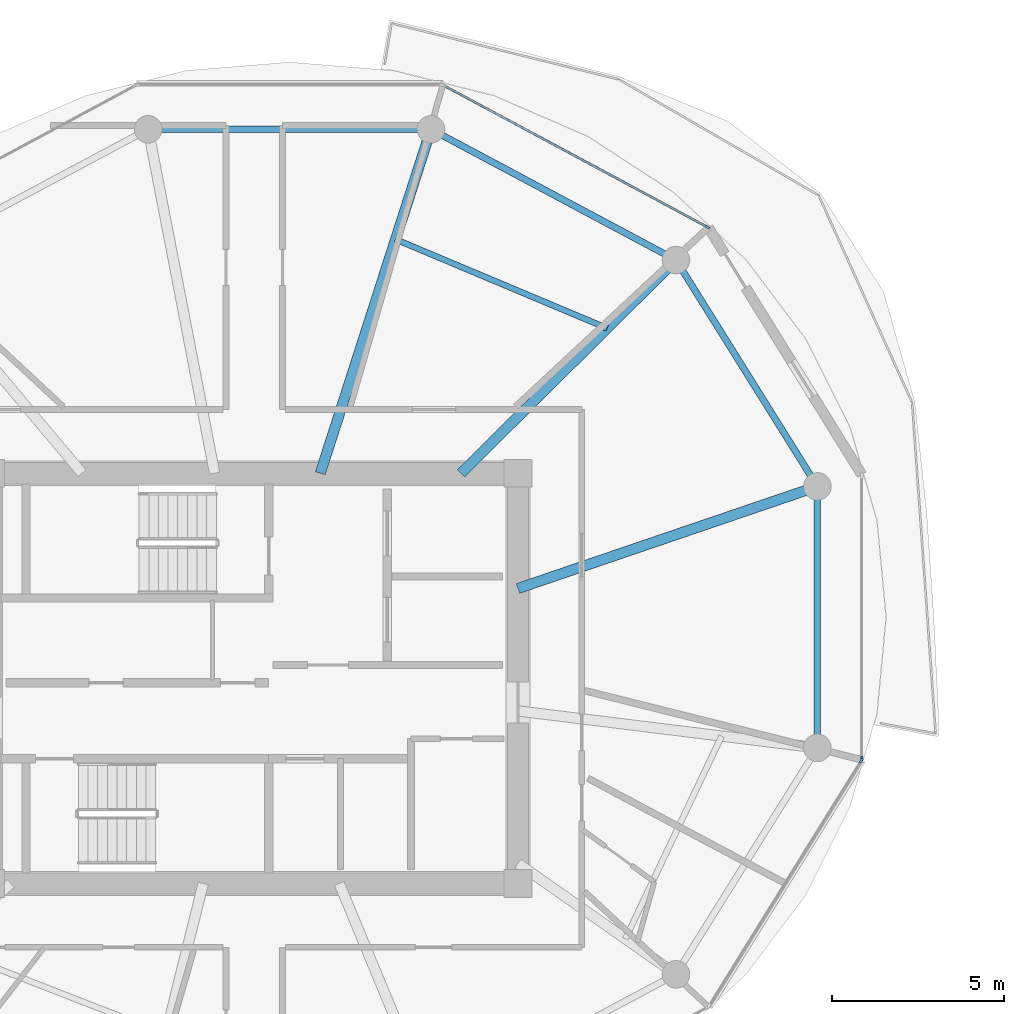
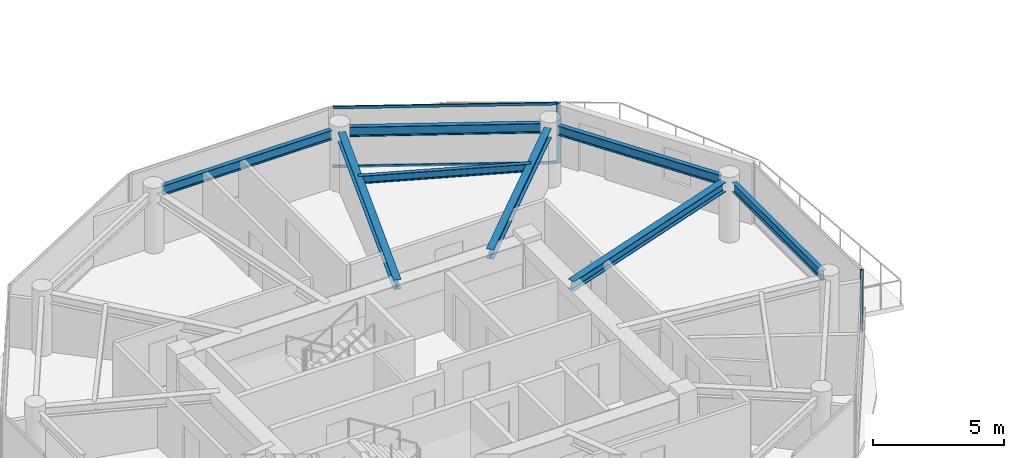
# One storey, part 5 of 22: 8 beams, 5 members, 3 elements without a shape of their own.
"""IFC4 building model written with IfcOpenShell, lengths in metres."""

import ifcopenshell
import ifcopenshell.guid

model = None  # the IFC model being written
_history = None  # IfcOwnerHistory: only IFC2X3 demands one
_inside = {}  # id of a spatial element -> (the spatial element, [elements in it])
_under = {}  # id of a project, library or spatial element -> (it, [spatial elements below it])
_declared = {}  # id of a project -> (the project, [libraries it declares])
_typed = {}  # id of a type object -> (the type object, [elements of that type])
_made_of = {}  # id of a material, layer set ... -> (it, [elements and type objects made of it])


def new_model(schema):
    """Start an empty IFC model of exactly this schema.

    Asked for "IFC4X3", IfcOpenShell would pick the latest addendum, in which some entities
    have other attributes; the version numbers below select the first issue.
    IFC2X3 requires an IfcOwnerHistory on every rooted entity: one is made here for all.
    """
    global model, _history
    if schema == "IFC4X3":
        model = ifcopenshell.file(schema_version=(4, 3, 0, 0))
    else:
        model = ifcopenshell.file(schema=schema)
    _inside.clear()
    _under.clear()
    _declared.clear()
    _typed.clear()
    _made_of.clear()
    _history = None
    if model.schema == "IFC2X3":
        org = make("IfcOrganization", Name="unknown")
        user = make(
            "IfcPersonAndOrganization",
            ThePerson=make("IfcPerson", FamilyName="unknown"),
            TheOrganization=org,
        )
        app = make(
            "IfcApplication",
            ApplicationDeveloper=org,
            Version="unknown",
            ApplicationFullName="unknown",
            ApplicationIdentifier="unknown",
        )
        _history = make(
            "IfcOwnerHistory",
            OwningUser=user,
            OwningApplication=app,
            ChangeAction="ADDED",
            CreationDate=0,
        )
    return model


def make(cls, **values):
    """One entity of the class cls with the attributes given. An attribute that is None is left unset."""
    return model.create_entity(
        cls, **{name: value for name, value in values.items() if value is not None}
    )


def rooted(cls, **values):
    """An entity with a GlobalId (a new one), such as an element, a storey or a relation."""
    return make(cls, GlobalId=ifcopenshell.guid.new(), OwnerHistory=_history, **values)


def si_unit(unit_type, name, prefix=None):
    """IfcSIUnit, for example si_unit("LENGTHUNIT", "METRE", prefix="MILLI")."""
    return make("IfcSIUnit", UnitType=unit_type, Prefix=prefix, Name=name)


def assignment(units):
    """IfcUnitAssignment: the units of a project."""
    return None if units is None else make("IfcUnitAssignment", Units=units)


def point(xyz):
    """IfcCartesianPoint."""
    return None if xyz is None else make("IfcCartesianPoint", Coordinates=xyz)


def direction(xyz):
    """IfcDirection."""
    return None if xyz is None else make("IfcDirection", DirectionRatios=xyz)


def frame(location, z_axis=None, x_axis=None):
    """IfcAxis2Placement3D, a coordinate frame: its origin and axes. An axis left out is left unset."""
    return make(
        "IfcAxis2Placement3D",
        Location=point(location),
        Axis=direction(z_axis),
        RefDirection=direction(x_axis),
    )


def frame_2d(location, x_axis=None):
    """IfcAxis2Placement2D, a coordinate frame in the plane: its origin and x axis."""
    return make(
        "IfcAxis2Placement2D", Location=point(location), RefDirection=direction(x_axis)
    )


def origin():
    """The frame at (0, 0, 0) with its axes left unset."""
    return frame((0.0, 0.0, 0.0))


def origin_2d():
    """The frame at (0, 0) in the plane with its x axis left unset."""
    return frame_2d((0.0, 0.0))


def place(relative_to, where):
    """IfcLocalPlacement: puts the frame where relative to a parent placement (None: the world)."""
    return make(
        "IfcLocalPlacement", PlacementRelTo=relative_to, RelativePlacement=where
    )


def context(
    kind, dimensions, precision=None, world=None, true_north=None, identifier=None
):
    """IfcGeometricRepresentationContext, for example the 3D "Model" context."""
    return make(
        "IfcGeometricRepresentationContext",
        ContextIdentifier=identifier,
        ContextType=kind,
        CoordinateSpaceDimension=dimensions,
        Precision=precision,
        WorldCoordinateSystem=world,
        TrueNorth=true_north,
    )


def subcontext(parent, identifier, kind, view, scale=None):
    """IfcGeometricRepresentationSubContext, for example "Body" below "Model"."""
    return make(
        "IfcGeometricRepresentationSubContext",
        ContextIdentifier=identifier,
        ContextType=kind,
        ParentContext=parent,
        TargetScale=scale,
        TargetView=view,
    )


def project(units=None, contexts=None):
    """IfcProject with its units and contexts."""
    return rooted(
        "IfcProject",
        Name="project",
        RepresentationContexts=contexts,
        UnitsInContext=assignment(units),
    )


def spatial(cls, under=None, at=None, **own):
    """A site, building, storey or space (cls), placed at a placement, below another one or the project."""
    s = rooted(cls, ObjectPlacement=at, **own)
    if under is not None:
        _under.setdefault(under.id(), (under, []))[1].append(s)
    return s


def profile(cls, at=None, kind="AREA", **sizes):
    """A parametric profile (cls). Its sizes go by their IFC names, for example OverallWidth=200.0."""
    return make(cls, ProfileType=kind, Position=at, **sizes)


def rectangle(**sizes):
    """IfcRectangleProfileDef."""
    return profile("IfcRectangleProfileDef", **sizes)


def i_section(**sizes):
    """IfcIShapeProfileDef."""
    return profile("IfcIShapeProfileDef", **sizes)


def extrude(swept, where, along, depth):
    """IfcExtrudedAreaSolid: the profile swept, set in the frame where, extruded along a direction by depth."""
    return make(
        "IfcExtrudedAreaSolid",
        SweptArea=swept,
        Position=where,
        ExtrudedDirection=direction(along),
        Depth=depth,
    )


def shape(context_of_items, identifier, shape_type, items):
    """IfcShapeRepresentation: the items that make up one representation, for example the "Body"."""
    return make(
        "IfcShapeRepresentation",
        ContextOfItems=context_of_items,
        RepresentationIdentifier=identifier,
        RepresentationType=shape_type,
        Items=items,
    )


def source(mapping_origin, context_of_items, identifier, shape_type, items):
    """IfcRepresentationMap: a shape defined once, which mapped items show again and again."""
    return make(
        "IfcRepresentationMap",
        MappingOrigin=mapping_origin,
        MappedRepresentation=shape(context_of_items, identifier, shape_type, items),
    )


def transform(
    local_origin,
    x_axis=None,
    y_axis=None,
    z_axis=None,
    scale=None,
    scale2=None,
    scale3=None,
    uniform=True,
):
    """IfcCartesianTransformationOperator3D, or its non-uniform kind. x_axis, y_axis, z_axis: its Axis1, 2, 3."""
    if uniform:
        return make(
            "IfcCartesianTransformationOperator3D",
            Axis1=direction(x_axis),
            Axis2=direction(y_axis),
            LocalOrigin=point(local_origin),
            Scale=scale,
            Axis3=direction(z_axis),
        )
    return make(
        "IfcCartesianTransformationOperator3DnonUniform",
        Axis1=direction(x_axis),
        Axis2=direction(y_axis),
        LocalOrigin=point(local_origin),
        Scale=scale,
        Axis3=direction(z_axis),
        Scale2=scale2,
        Scale3=scale3,
    )


def mapped(mapping_source, mapping_target):
    """IfcMappedItem: shows the shape of a source again, moved by a transform."""
    return make(
        "IfcMappedItem", MappingSource=mapping_source, MappingTarget=mapping_target
    )


def material(Name=None, Category=None):
    """IfcMaterial."""
    return make("IfcMaterial", Name=Name, Category=Category)


def layer(
    of_material, thickness, ventilated=None, Name=None, Category=None, Priority=None
):
    """IfcMaterialLayer: one layer of a wall or slab, of a material (None: an air gap)."""
    return make(
        "IfcMaterialLayer",
        Material=of_material,
        LayerThickness=thickness,
        IsVentilated=ventilated,
        Name=Name,
        Category=Category,
        Priority=Priority,
    )


def layer_set(layers, Name=None):
    """IfcMaterialLayerSet."""
    return make("IfcMaterialLayerSet", MaterialLayers=layers, LayerSetName=Name)


def material_profile(
    of_material, cross_section, Name=None, Category=None, Priority=None
):
    """IfcMaterialProfile: a cross section and its material."""
    return make(
        "IfcMaterialProfile",
        Name=Name,
        Material=of_material,
        Profile=cross_section,
        Priority=Priority,
        Category=Category,
    )


def profile_set(profiles, Name=None, composite=None):
    """IfcMaterialProfileSet."""
    return make(
        "IfcMaterialProfileSet",
        Name=Name,
        MaterialProfiles=profiles,
        CompositeProfile=composite,
    )


def made_of(thing, what):
    """Note that an element or type object is made of a material, layer set ...; save() writes the relation."""
    if what is not None:
        _made_of.setdefault(what.id(), (what, []))[1].append(thing)
    return thing


def type_object(cls, material=None, **own):
    """A type object (cls), such as IfcWallType, which elements share."""
    return made_of(rooted(cls, **own), material)


def type_shapes(of_type, sources):
    """Give a type object the sources (RepresentationMaps) that its elements show as mapped items."""
    of_type.RepresentationMaps = sources


def element(
    cls,
    number,
    at=None,
    inside=None,
    cuts=None,
    type_object=None,
    material=None,
    context=None,
    identifier="Body",
    shape_type=None,
    held_by="IfcProductDefinitionShape",
    body=None,
    shapes=None,
    **own,
):
    """One element of the class cls, such as IfcWall. Its Tag is "e" and its number.

    at: its placement. inside: the storey or other place that contains it. cuts: it is an
    opening in that element (IfcRelVoidsElement). A single representation is given by context,
    identifier, shape_type and body (its items); several are given by shapes. held_by: the class
    of the entity that holds the representations. save() writes the other relations.
    """
    e = rooted(cls, Tag="e%d" % number, ObjectPlacement=at, **own)
    if body is not None:
        shapes = [shape(context, identifier, shape_type, body)]
    if shapes is not None:
        e.Representation = make(held_by, Representations=shapes)
    if inside is not None:
        _inside.setdefault(inside.id(), (inside, []))[1].append(e)
    if cuts is not None:
        rooted(
            "IfcRelVoidsElement", RelatingBuildingElement=cuts, RelatedOpeningElement=e
        )
    if type_object is not None:
        _typed.setdefault(type_object.id(), (type_object, []))[1].append(e)
    return made_of(e, material)


def aggregate(whole, parts):
    """IfcRelAggregates: a whole, such as a stair, and the parts it consists of."""
    return rooted("IfcRelAggregates", RelatingObject=whole, RelatedObjects=parts)


def save(model, path):
    """Write the relations noted so far, then the file.

    IfcRelAggregates (storeys below a building ...), IfcRelContainedInSpatialStructure (elements
    in a storey), IfcRelDefinesByType, IfcRelAssociatesMaterial and IfcRelDeclares: one each for
    every whole, place, type object, material and project.
    """
    for whole, parts in _under.values():
        aggregate(whole, parts)
    for where, things in _inside.values():
        rooted(
            "IfcRelContainedInSpatialStructure",
            RelatedElements=things,
            RelatingStructure=where,
        )
    for kind, things in _typed.values():
        rooted("IfcRelDefinesByType", RelatedObjects=things, RelatingType=kind)
    for what, things in _made_of.values():
        rooted("IfcRelAssociatesMaterial", RelatedObjects=things, RelatingMaterial=what)
    for by, libraries in _declared.values():
        rooted("IfcRelDeclares", RelatingContext=by, RelatedDefinitions=libraries)
    model.write(path)


model = new_model("IFC4")

# Units and contexts
model_context = context("Model", 3, precision=1e-05, world=origin(), true_north=direction((0.0, 1.0)))
body_context = subcontext(model_context, "Body", "Model", "MODEL_VIEW")
ifc_project = project(units=[si_unit("LENGTHUNIT", "METRE"), si_unit("AREAUNIT", "SQUARE_METRE"), si_unit("VOLUMEUNIT", "CUBIC_METRE"), si_unit("PLANEANGLEUNIT", "RADIAN"), si_unit("MASSUNIT", "GRAM", prefix="KILO")], contexts=[model_context])

# Site, building, storey
site_placement = place(None, origin())
site = spatial("IfcSite", under=ifc_project, at=site_placement, CompositionType="ELEMENT")
building_placement = place(site_placement, origin())
building = spatial("IfcBuilding", under=site, at=building_placement, Name="Norrkilde Senior Care Towers", CompositionType="ELEMENT")
storey_placement = place(building_placement, frame((0.0, 0.0, 137.35009765625)))
storey = spatial("IfcBuildingStorey", under=building, at=storey_placement, Name="L42", CompositionType="ELEMENT", Elevation=137.35009765625)

# Beams
ifc_material_1 = material(Name="Steel S355", Category="steel")
ifc_material_profile_1 = material_profile(ifc_material_1, i_section(OverallWidth=0.18994140625, OverallDepth=0.449951171875, WebThickness=0.009521484375, FlangeThickness=0.0146484375, FilletRadius=0.02099609375, at=origin_2d()), Name="IPE 450")
ifc_profile_set_1 = profile_set([ifc_material_profile_1], Name="Steel S355")
beam_type_1 = type_object("IfcBeamType", Name="Perimeter Ring Spandrel Z3 IPE450", PredefinedType="SPANDREL", material=ifc_profile_set_1)
shared_shape_1 = source(origin(), body_context, "Body", "SweptSolid", [
    extrude(i_section(OverallWidth=0.18994140625, OverallDepth=0.449951171875, WebThickness=0.009521484375, FlangeThickness=0.0146484375, FilletRadius=0.02099609375, at=origin_2d()), origin(), (0.0, 0.0, 1.0), 7.0234375),
])
beam_1_placement = place(storey_placement, frame((-11.855712890625, 5.872314453125, 2.5849609375), z_axis=(-0.529789577822, 0.848129119433, 0.0), x_axis=(-0.848129119433, -0.529789577822, 0.0)))
element("IfcBeam", 1, at=beam_1_placement, inside=storey, type_object=beam_type_1, Name="L42 Drum W Perimeter Spandrel 01", PredefinedType="SPANDREL", context=body_context, shape_type="MappedRepresentation", body=[
    mapped(shared_shape_1, transform((0.0, 0.0, 0.0), x_axis=(1.0, 0.0, 0.0), y_axis=(0.0, 1.0, 0.0), z_axis=(0.0, 0.0, 1.0), scale=1.0)),
])
ifc_material_profile_2 = material_profile(ifc_material_1, i_section(OverallWidth=0.300048828125, OverallDepth=0.449951171875, WebThickness=0.013916015625, FlangeThickness=0.02587890625, FilletRadius=0.027099609375, at=origin_2d()), Name="HEB 450")
ifc_profile_set_2 = profile_set([ifc_material_profile_2], Name="Steel S355")
beam_type_2 = type_object("IfcBeamType", Name="Radial Floor Beam Z3 HEB450", PredefinedType="BEAM", material=ifc_profile_set_2)
shared_shape_2 = source(origin(), body_context, "Body", "SweptSolid", [
    extrude(i_section(OverallWidth=0.300048828125, OverallDepth=0.449951171875, WebThickness=0.013916015625, FlangeThickness=0.02587890625, FilletRadius=0.027099609375, at=origin_2d()), origin(), (0.0, 0.0, 1.0), 8.8154296875),
])
beam_2_placement = place(storey_placement, frame((-20.35009765625, 2.607177734375, 2.5849609375), z_axis=(0.946540556878, 0.322584832539, 0.0), x_axis=(-0.322584832539, 0.946540556878, 0.0)))
element("IfcBeam", 2, at=beam_2_placement, inside=storey, type_object=beam_type_2, Name="L42 Drum W Radial Floor Beam 01", PredefinedType="BEAM", context=body_context, shape_type="MappedRepresentation", body=[
    mapped(shared_shape_2, transform((0.0, 0.0, 0.0), x_axis=(1.0, 0.0, 0.0), y_axis=(0.0, 1.0, 0.0), z_axis=(0.0, 0.0, 1.0), scale=1.0)),
])
shared_shape_3 = source(origin(), body_context, "Body", "SweptSolid", [
    extrude(i_section(OverallWidth=0.18994140625, OverallDepth=0.449951171875, WebThickness=0.009521484375, FlangeThickness=0.0146484375, FilletRadius=0.02099609375, at=origin_2d()), origin(), (0.0, 0.0, 1.0), 7.333740234375),
])
beam_3_placement = place(storey_placement, frame((-16.0849609375, 12.303955078125, 2.5849609375), z_axis=(-0.882247866069, 0.470785198172, 0.0), x_axis=(-0.470785198172, -0.882247866069, 0.0)))
element("IfcBeam", 3, at=beam_3_placement, inside=storey, type_object=beam_type_1, Name="L42 Drum W Perimeter Spandrel 02", PredefinedType="SPANDREL", context=body_context, shape_type="MappedRepresentation", body=[
    mapped(shared_shape_3, transform((0.0, 0.0, 0.0), x_axis=(1.0, 0.0, 0.0), y_axis=(0.0, 1.0, 0.0), z_axis=(0.0, 0.0, 1.0), scale=1.0)),
])
shared_shape_4 = source(origin(), body_context, "Body", "SweptSolid", [
    extrude(i_section(OverallWidth=0.300048828125, OverallDepth=0.449951171875, WebThickness=0.013916015625, FlangeThickness=0.02587890625, FilletRadius=0.027099609375, at=origin_2d()), origin(), (0.0, 0.0, 1.0), 8.421630859375),
])
beam_4_placement = place(storey_placement, frame((-22.001953125, 5.949951171875, 2.5849609375), z_axis=(0.709956495972, 0.704245535184, 0.0), x_axis=(-0.704245535184, 0.709956495972, 0.0)))
element("IfcBeam", 4, at=beam_4_placement, inside=storey, type_object=beam_type_2, Name="L42 Drum W Radial Floor Beam 02", PredefinedType="BEAM", context=body_context, shape_type="MappedRepresentation", body=[
    mapped(shared_shape_4, transform((0.0, 0.0, 0.0), x_axis=(1.0, 0.0, 0.0), y_axis=(0.0, 1.0, 0.0), z_axis=(0.0, 0.0, 1.0), scale=1.0)),
])
shared_shape_5 = source(origin(), body_context, "Body", "SweptSolid", [
    extrude(i_section(OverallWidth=0.18994140625, OverallDepth=0.449951171875, WebThickness=0.009521484375, FlangeThickness=0.0146484375, FilletRadius=0.02099609375, at=origin_2d()), origin(), (0.0, 0.0, 1.0), 7.484619140625),
])
beam_5_placement = place(storey_placement, frame((-23.232666015625, 15.92626953125, 2.5849609375), z_axis=(-1.0, 0.0, 0.0), x_axis=(0.0, -1.0, 0.0)))
element("IfcBeam", 5, at=beam_5_placement, inside=storey, type_object=beam_type_1, Name="L42 Drum W Perimeter Spandrel 03", PredefinedType="SPANDREL", context=body_context, shape_type="MappedRepresentation", body=[
    mapped(shared_shape_5, transform((0.0, 0.0, 0.0), x_axis=(1.0, 0.0, 0.0), y_axis=(0.0, 1.0, 0.0), z_axis=(0.0, 0.0, 1.0), scale=1.0)),
])
shared_shape_6 = source(origin(), body_context, "Body", "SweptSolid", [
    extrude(i_section(OverallWidth=0.300048828125, OverallDepth=0.449951171875, WebThickness=0.013916015625, FlangeThickness=0.02587890625, FilletRadius=0.027099609375, at=origin_2d()), origin(), (0.0, 0.0, 1.0), 10.120361328125),
])
type_shapes(beam_type_2, [shared_shape_2, shared_shape_4, shared_shape_6])
beam_6_placement = place(storey_placement, frame((-26.08447265625, 5.949951171875, 2.5849609375), z_axis=(0.306440973744, 0.951889662519, 0.0), x_axis=(-0.951889662519, 0.306440973744, 0.0)))
element("IfcBeam", 6, at=beam_6_placement, inside=storey, type_object=beam_type_2, Name="L42 Drum W Radial Floor Beam 03", PredefinedType="BEAM", context=body_context, shape_type="MappedRepresentation", body=[
    mapped(shared_shape_6, transform((0.0, 0.0, 0.0), x_axis=(1.0, 0.0, 0.0), y_axis=(0.0, 1.0, 0.0), z_axis=(0.0, 0.0, 1.0), scale=1.0)),
])
shared_shape_7 = source(origin(), body_context, "Body", "SweptSolid", [
    extrude(i_section(OverallWidth=0.18994140625, OverallDepth=0.449951171875, WebThickness=0.009521484375, FlangeThickness=0.0146484375, FilletRadius=0.02099609375, at=origin_2d()), origin(), (0.0, 0.0, 1.0), 6.86328125),
])
type_shapes(beam_type_1, [shared_shape_1, shared_shape_3, shared_shape_5, shared_shape_7])
beam_7_placement = place(storey_placement, frame((-11.6650390625, -1.65625, 2.5849609375), z_axis=(0.0, 1.0, 0.0), x_axis=(-1.0, 0.0, 0.0)))
element("IfcBeam", 7, at=beam_7_placement, inside=storey, type_object=beam_type_1, Name="L42 Drum W Perimeter Spandrel 12", PredefinedType="SPANDREL", context=body_context, shape_type="MappedRepresentation", body=[
    mapped(shared_shape_7, transform((0.0, 0.0, 0.0), x_axis=(1.0, 0.0, 0.0), y_axis=(0.0, 1.0, 0.0), z_axis=(0.0, 0.0, 1.0), scale=1.0)),
])
ifc_material_profile_3 = material_profile(ifc_material_1, i_section(OverallWidth=0.169921875, OverallDepth=0.360107421875, WebThickness=0.008056640625, FlangeThickness=0.0126953125, FilletRadius=0.01806640625, at=origin_2d()), Name="IPE 360")
ifc_profile_set_3 = profile_set([ifc_material_profile_3], Name="Steel S355")
beam_type_3 = type_object("IfcBeamType", Name="Secondary Floor Joist IPE360", PredefinedType="JOIST", material=ifc_profile_set_3)
shared_shape_8 = source(origin(), body_context, "Body", "SweptSolid", [
    extrude(i_section(OverallWidth=0.169921875, OverallDepth=0.360107421875, WebThickness=0.008056640625, FlangeThickness=0.0126953125, FilletRadius=0.01806640625, at=origin_2d()), origin(), (0.0, 0.0, 1.0), 6.657470703125),
])
type_shapes(beam_type_3, [shared_shape_8])
beam_8_placement = place(storey_placement, frame((-17.762451171875, 10.155517578125, 2.6298828125), z_axis=(-0.921958799252, 0.387287971, 0.0), x_axis=(-0.387287971, -0.921958799252, 0.0)))
element("IfcBeam", 8, at=beam_8_placement, inside=storey, type_object=beam_type_3, Name="L42 Drum W Secondary Floor Joist 1", PredefinedType="JOIST", context=body_context, shape_type="MappedRepresentation", body=[
    mapped(shared_shape_8, transform((0.0, 0.0, 0.0), x_axis=(1.0, 0.0, 0.0), y_axis=(0.0, 1.0, 0.0), z_axis=(0.0, 0.0, 1.0), scale=1.0)),
])

# Curtain wall, members
ifc_material_2 = material(Name="Triple Low-E Insulated Glazing", Category="glass")
ifc_layer = layer(ifc_material_2, 0.18994140625)
ifc_layer_set = layer_set([ifc_layer], Name="Triple Low-E Insulated Glazing")
curtain_wall_type = type_object("IfcCurtainWallType", Name="CW4 Zone 3 Senior Residence Curtain Wall", PredefinedType="NOTDEFINED", material=ifc_layer_set)
curtain_wall_1_placement = place(storey_placement, origin())
curtain_wall_1 = element("IfcCurtainWall", 9, at=curtain_wall_1_placement, inside=storey, type_object=curtain_wall_type, Name="L42 Drum W Curtain Wall 01", PredefinedType="NOTDEFINED")
ifc_material_3 = material(Name="Anodised Aluminium", Category="aluminium")
ifc_material_profile_4 = material_profile(ifc_material_3, rectangle(XDim=0.06005859375, YDim=0.1201171875, at=origin_2d()), Name="ALU TRAN 60x120")
ifc_profile_set_4 = profile_set([ifc_material_profile_4], Name="Anodised Aluminium")
member_type_1 = type_object("IfcMemberType", Name="Curtain Wall Transom Typical 60x120", PredefinedType="USERDEFINED", material=ifc_profile_set_4)
shared_shape_9 = source(origin(), body_context, "Body", "SweptSolid", [
    extrude(rectangle(XDim=0.06005859375, YDim=0.1201171875, at=origin_2d()), origin(), (0.0, 0.0, 1.0), 8.61181640625),
])
type_shapes(member_type_1, [shared_shape_9])
member_1_placement = place(storey_placement, frame((-22.47119140625, 17.18017578125, 0.02978515625), z_axis=(0.880993991641, -0.473127452906, 0.0), x_axis=(0.473127452906, 0.880993991641, 0.0)))
member_1 = element("IfcMember", 10, at=member_1_placement, type_object=member_type_1, Name="CW-4 transom 1.1", ObjectType="TRANSOM", PredefinedType="USERDEFINED", context=body_context, shape_type="MappedRepresentation", body=[
    mapped(shared_shape_9, transform((0.0, 0.0, 0.0), x_axis=(1.0, 0.0, 0.0), y_axis=(0.0, 1.0, 0.0), z_axis=(0.0, 0.0, 1.0), scale=1.0)),
])
member_2_placement = place(storey_placement, frame((-22.47119140625, 17.18017578125, 2.77978515625), z_axis=(0.880993991641, -0.473127452906, 0.0), x_axis=(0.473127452906, 0.880993991641, 0.0)))
member_2 = element("IfcMember", 11, at=member_2_placement, type_object=member_type_1, Name="CW-4 transom 1.2", ObjectType="TRANSOM", PredefinedType="USERDEFINED", context=body_context, shape_type="MappedRepresentation", body=[
    mapped(shared_shape_9, transform((0.0, 0.0, 0.0), x_axis=(1.0, 0.0, 0.0), y_axis=(0.0, 1.0, 0.0), z_axis=(0.0, 0.0, 1.0), scale=1.0)),
])
ifc_material_profile_5 = material_profile(ifc_material_3, rectangle(XDim=0.06494140625, YDim=0.14990234375, at=origin_2d()), Name="ALU MULL 65x150")
ifc_profile_set_5 = profile_set([ifc_material_profile_5], Name="Anodised Aluminium")
member_type_2 = type_object("IfcMemberType", Name="Curtain Wall Mullion Z3-Z4 65x150", PredefinedType="MULLION", material=ifc_profile_set_5)
shared_shape_10 = source(origin(), body_context, "Body", "SweptSolid", [
    extrude(rectangle(XDim=0.06494140625, YDim=0.14990234375, at=origin_2d()), origin(), (0.0, 0.0, 1.0), 2.809814453125),
])
type_shapes(member_type_2, [shared_shape_10])
member_3_placement = place(storey_placement, frame((-14.85546875, 13.09033203125, 0.0), z_axis=(0.0, 0.0, 1.0), x_axis=(0.47311715104, 0.880999524059, 0.0)))
member_3 = element("IfcMember", 12, at=member_3_placement, type_object=member_type_2, Name="CW-4 mullion 2", PredefinedType="MULLION", context=body_context, shape_type="MappedRepresentation", body=[
    mapped(shared_shape_10, transform((0.0, 0.0, 0.0), x_axis=(1.0, 0.0, 0.0), y_axis=(0.0, 1.0, 0.0), z_axis=(0.0, 0.0, 1.0), scale=1.0)),
])
aggregate(curtain_wall_1, [member_3, member_1, member_2])

# Curtain wall, member
curtain_wall_2_placement = place(storey_placement, origin())
curtain_wall_2 = element("IfcCurtainWall", 13, at=curtain_wall_2_placement, inside=storey, type_object=curtain_wall_type, Name="L42 Drum W Curtain Wall 10", PredefinedType="NOTDEFINED")
member_4_placement = place(storey_placement, frame((-10.3974609375, -2.38818359375, 0.0), z_axis=(0.0, 0.0, 1.0), x_axis=(0.84963405474, -0.52737270789, 0.0)))
member_4 = element("IfcMember", 14, at=member_4_placement, type_object=member_type_2, Name="CW-4 mullion 1", PredefinedType="MULLION", context=body_context, shape_type="MappedRepresentation", body=[
    mapped(shared_shape_10, transform((0.0, 0.0, 0.0), x_axis=(1.0, 0.0, 0.0), y_axis=(0.0, 1.0, 0.0), z_axis=(0.0, 0.0, 1.0), scale=1.0)),
])
aggregate(curtain_wall_2, [member_4])

curtain_wall_3_placement = place(storey_placement, origin())
curtain_wall_3 = element("IfcCurtainWall", 15, at=curtain_wall_3_placement, inside=storey, type_object=curtain_wall_type, Name="L42 Drum W Curtain Wall 11", PredefinedType="NOTDEFINED")
member_5_placement = place(storey_placement, frame((-10.38037109375, -2.328125, 0.0), z_axis=(0.0, 0.0, 1.0), x_axis=(1.0, 0.0, 0.0)))
member_5 = element("IfcMember", 16, at=member_5_placement, type_object=member_type_2, Name="CW-4 mullion 2", PredefinedType="MULLION", context=body_context, shape_type="MappedRepresentation", body=[
    mapped(shared_shape_10, transform((0.0, 0.0, 0.0), x_axis=(1.0, 0.0, 0.0), y_axis=(0.0, 1.0, 0.0), z_axis=(0.0, 0.0, 1.0), scale=1.0)),
])
aggregate(curtain_wall_3, [member_5])

save(model, "model.ifc")
